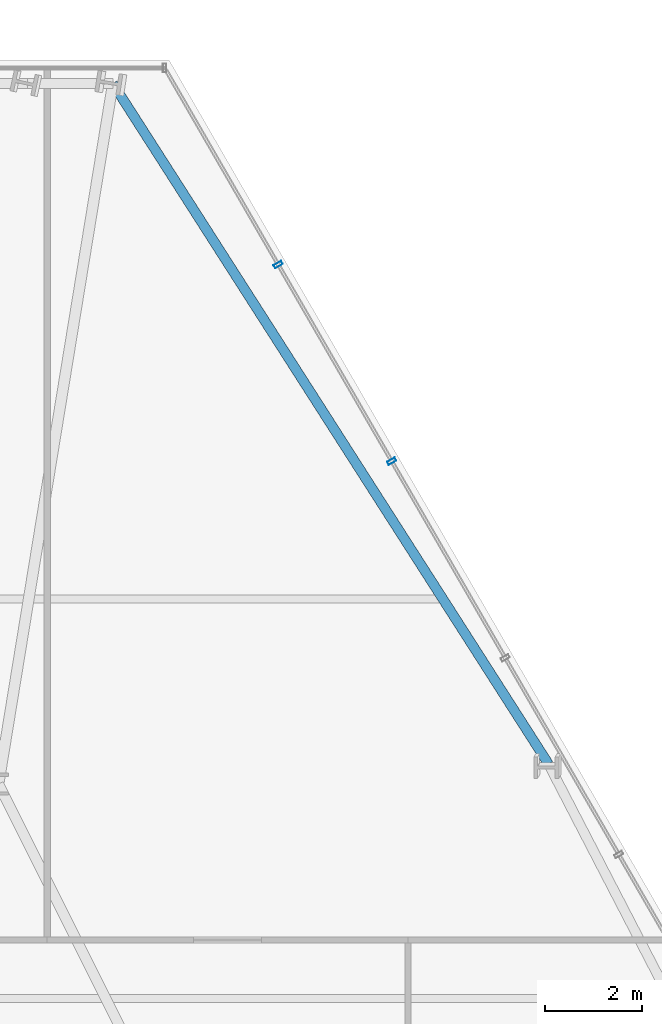
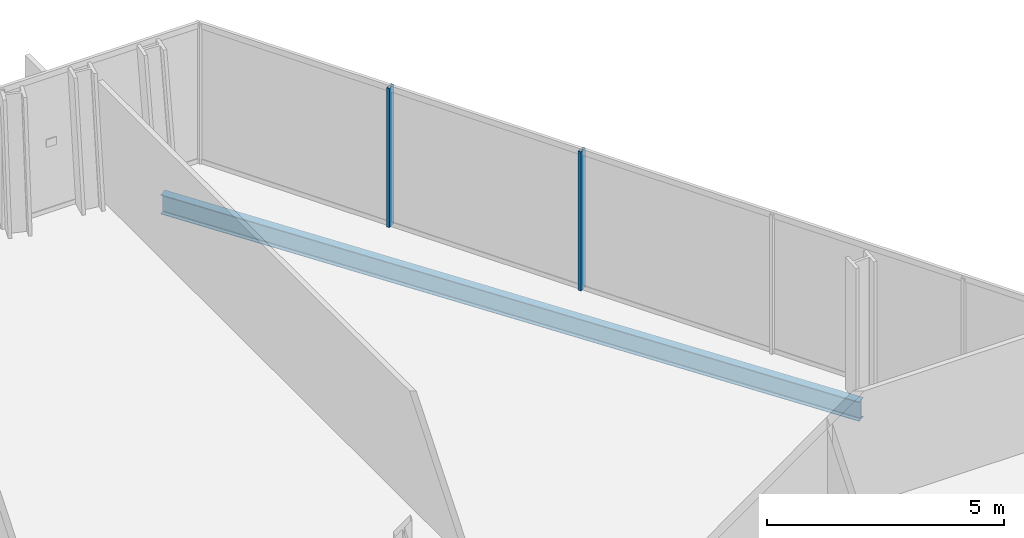
# One storey, part 25 of 33: 2 members, 1 beam, 1 element without a shape of its own.
"""IFC4 building model written with IfcOpenShell, lengths in metres."""

from ifc_helpers import new_model, si_unit, direction, frame, origin, origin_2d, place, context, subcontext, project, spatial, hollow_rectangle, i_section, extrude, material, layer, layer_set, material_profile, profile_set, type_object, element, aggregate, save


model = new_model("IFC4")

# Units and contexts
model_context = context("Model", 3, precision=1e-05, world=origin(), true_north=direction((0.0, 1.0)))
body_context = subcontext(model_context, "Body", "Model", "MODEL_VIEW")
ifc_project = project(units=[si_unit("LENGTHUNIT", "METRE"), si_unit("AREAUNIT", "SQUARE_METRE"), si_unit("VOLUMEUNIT", "CUBIC_METRE"), si_unit("PLANEANGLEUNIT", "RADIAN"), si_unit("MASSUNIT", "GRAM", prefix="KILO")], contexts=[model_context])

# Site, building, storey
site_placement = place(None, origin())
site = spatial("IfcSite", under=ifc_project, at=site_placement, CompositionType="ELEMENT")
building_placement = place(site_placement, origin())
building = spatial("IfcBuilding", under=site, at=building_placement, Name="Ndaravel Arena Tower", CompositionType="ELEMENT")
storey_placement = place(building_placement, frame((0.0, 0.0, 89.199951171875)))
storey = spatial("IfcBuildingStorey", under=building, at=storey_placement, Name="L20", CompositionType="ELEMENT", Elevation=89.199951171875)

# Beam
ifc_material_1 = material(Name="Steel S355", Category="steel")
ifc_material_profile_1 = material_profile(ifc_material_1, i_section(OverallWidth=0.199951171875, OverallDepth=0.5, WebThickness=0.01025390625, FlangeThickness=0.01611328125, FilletRadius=0.02099609375, at=origin_2d()), Name="IPE 500")
ifc_profile_set_1 = profile_set([ifc_material_profile_1], Name="Steel S355")
beam_type = type_object("IfcBeamType", Name="BM-SPAN-IPE500", PredefinedType="SPANDREL", material=ifc_profile_set_1)
beam_placement = place(storey_placement, frame((57.087158203125, 31.61181640625, -0.469970703125), z_axis=(-0.539178204501, 0.842191702519, 0.0), x_axis=(-0.842191702519, -0.539178204501, 0.0)))
element("IfcBeam", 1, at=beam_placement, inside=storey, type_object=beam_type, Name="L20 Perimeter Spandrel Beam SP-10", PredefinedType="SPANDREL", context=body_context, shape_type="SweptSolid", body=[
    extrude(i_section(OverallWidth=0.199951171875, OverallDepth=0.5, WebThickness=0.01025390625, FlangeThickness=0.01611328125, FilletRadius=0.02099609375, at=origin_2d()), origin(), (0.0, 0.0, 1.0), 16.58056640625),
])

# Curtain wall, members
ifc_material_2 = material(Name="Aluminium", Category="aluminium")
ifc_layer = layer(ifc_material_2, 0.179931640625)
ifc_layer_set = layer_set([ifc_layer], Name="Aluminium")
curtain_wall_type = type_object("IfcCurtainWallType", Name="CW-SYS-03", PredefinedType="NOTDEFINED", material=ifc_layer_set)
curtain_wall_placement = place(storey_placement, origin())
curtain_wall = element("IfcCurtainWall", 2, at=curtain_wall_placement, inside=storey, type_object=curtain_wall_type, Name="L20 Faceted Crystal Curtain Wall CW-L20-E03", PredefinedType="NOTDEFINED")
ifc_material_3 = material(Name="Aluminium", Category="aluminium")
ifc_material_profile_2 = material_profile(ifc_material_3, hollow_rectangle(XDim=0.074951171875, YDim=0.179931640625, WallThickness=0.00390625, at=origin_2d()), Name="CW MULLION 75x180x4")
ifc_profile_set_2 = profile_set([ifc_material_profile_2], Name="Aluminium")
member_type = type_object("IfcMemberType", Name="MEM-CW-MUL180", PredefinedType="MULLION", material=ifc_profile_set_2)
member_1_placement = place(storey_placement, frame((53.86962890625, 37.824951171875, 0.0), z_axis=(0.0, 0.0, 1.0), x_axis=(-0.5, 0.866025403784, 0.0)))
member_1 = element("IfcMember", 3, at=member_1_placement, type_object=member_type, Name="CW-L20-E03 Mullion 05", PredefinedType="MULLION", context=body_context, shape_type="SweptSolid", body=[
    extrude(hollow_rectangle(XDim=0.074951171875, YDim=0.179931640625, WallThickness=0.00390625, at=origin_2d()), origin(), (0.0, 0.0, 1.0), 3.580078125),
])
member_2_placement = place(storey_placement, frame((51.539794921875, 41.860595703125, 0.0), z_axis=(0.0, 0.0, 1.0), x_axis=(-0.5, 0.866025403784, 0.0)))
member_2 = element("IfcMember", 4, at=member_2_placement, type_object=member_type, Name="CW-L20-E03 Mullion 06", PredefinedType="MULLION", context=body_context, shape_type="SweptSolid", body=[
    extrude(hollow_rectangle(XDim=0.074951171875, YDim=0.179931640625, WallThickness=0.00390625, at=origin_2d()), origin(), (0.0, 0.0, 1.0), 3.580078125),
])
aggregate(curtain_wall, [member_1, member_2])

save(model, "model.ifc")
